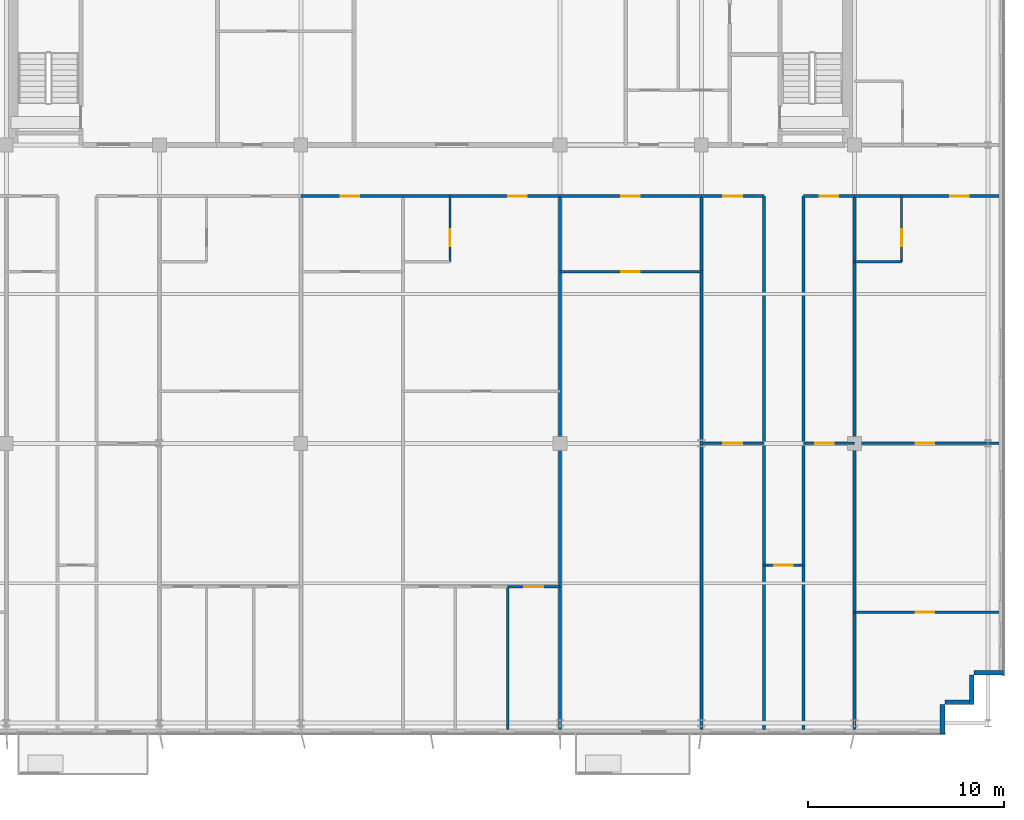
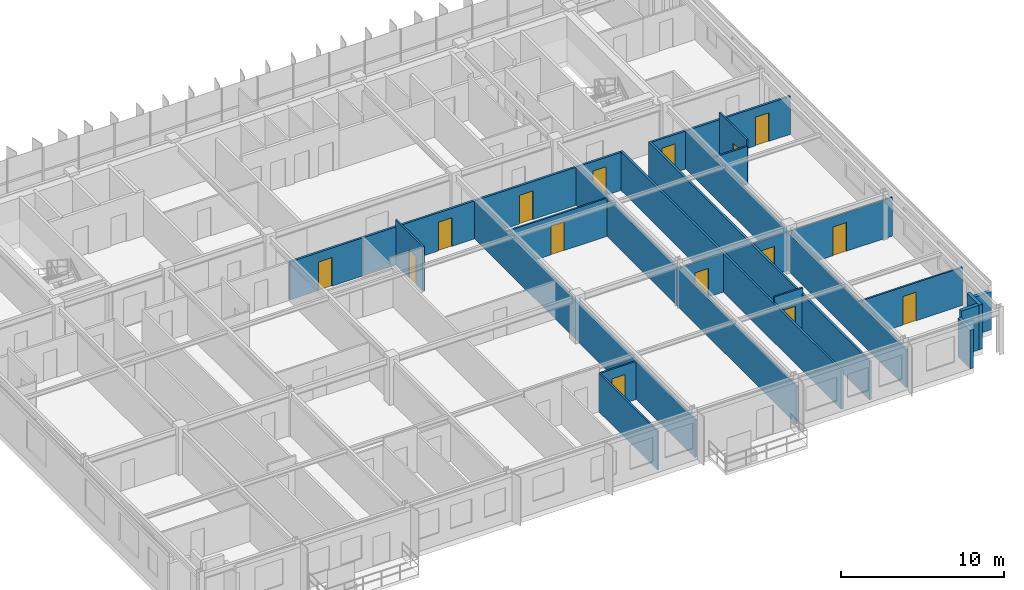
# One storey, part 18 of 23: 26 walls, 15 doors, 15 openings.
"""IFC4 building model written with IfcOpenShell, lengths in metres."""

import ifcopenshell
import ifcopenshell.guid

model = None  # the IFC model being written
_history = None  # IfcOwnerHistory: only IFC2X3 demands one
_inside = {}  # id of a spatial element -> (the spatial element, [elements in it])
_under = {}  # id of a project, library or spatial element -> (it, [spatial elements below it])
_declared = {}  # id of a project -> (the project, [libraries it declares])
_typed = {}  # id of a type object -> (the type object, [elements of that type])
_made_of = {}  # id of a material, layer set ... -> (it, [elements and type objects made of it])


def new_model(schema):
    """Start an empty IFC model of exactly this schema.

    Asked for "IFC4X3", IfcOpenShell would pick the latest addendum, in which some entities
    have other attributes; the version numbers below select the first issue.
    IFC2X3 requires an IfcOwnerHistory on every rooted entity: one is made here for all.
    """
    global model, _history
    if schema == "IFC4X3":
        model = ifcopenshell.file(schema_version=(4, 3, 0, 0))
    else:
        model = ifcopenshell.file(schema=schema)
    _inside.clear()
    _under.clear()
    _declared.clear()
    _typed.clear()
    _made_of.clear()
    _history = None
    if model.schema == "IFC2X3":
        org = make("IfcOrganization", Name="unknown")
        user = make(
            "IfcPersonAndOrganization",
            ThePerson=make("IfcPerson", FamilyName="unknown"),
            TheOrganization=org,
        )
        app = make(
            "IfcApplication",
            ApplicationDeveloper=org,
            Version="unknown",
            ApplicationFullName="unknown",
            ApplicationIdentifier="unknown",
        )
        _history = make(
            "IfcOwnerHistory",
            OwningUser=user,
            OwningApplication=app,
            ChangeAction="ADDED",
            CreationDate=0,
        )
    return model


def make(cls, **values):
    """One entity of the class cls with the attributes given. An attribute that is None is left unset."""
    return model.create_entity(
        cls, **{name: value for name, value in values.items() if value is not None}
    )


def rooted(cls, **values):
    """An entity with a GlobalId (a new one), such as an element, a storey or a relation."""
    return make(cls, GlobalId=ifcopenshell.guid.new(), OwnerHistory=_history, **values)


def si_unit(unit_type, name, prefix=None):
    """IfcSIUnit, for example si_unit("LENGTHUNIT", "METRE", prefix="MILLI")."""
    return make("IfcSIUnit", UnitType=unit_type, Prefix=prefix, Name=name)


def assignment(units):
    """IfcUnitAssignment: the units of a project."""
    return None if units is None else make("IfcUnitAssignment", Units=units)


def point(xyz):
    """IfcCartesianPoint."""
    return None if xyz is None else make("IfcCartesianPoint", Coordinates=xyz)


def direction(xyz):
    """IfcDirection."""
    return None if xyz is None else make("IfcDirection", DirectionRatios=xyz)


def frame(location, z_axis=None, x_axis=None):
    """IfcAxis2Placement3D, a coordinate frame: its origin and axes. An axis left out is left unset."""
    return make(
        "IfcAxis2Placement3D",
        Location=point(location),
        Axis=direction(z_axis),
        RefDirection=direction(x_axis),
    )


def frame_2d(location, x_axis=None):
    """IfcAxis2Placement2D, a coordinate frame in the plane: its origin and x axis."""
    return make(
        "IfcAxis2Placement2D", Location=point(location), RefDirection=direction(x_axis)
    )


def origin():
    """The frame at (0, 0, 0) with its axes left unset."""
    return frame((0.0, 0.0, 0.0))


def place(relative_to, where):
    """IfcLocalPlacement: puts the frame where relative to a parent placement (None: the world)."""
    return make(
        "IfcLocalPlacement", PlacementRelTo=relative_to, RelativePlacement=where
    )


def context(
    kind, dimensions, precision=None, world=None, true_north=None, identifier=None
):
    """IfcGeometricRepresentationContext, for example the 3D "Model" context."""
    return make(
        "IfcGeometricRepresentationContext",
        ContextIdentifier=identifier,
        ContextType=kind,
        CoordinateSpaceDimension=dimensions,
        Precision=precision,
        WorldCoordinateSystem=world,
        TrueNorth=true_north,
    )


def subcontext(parent, identifier, kind, view, scale=None):
    """IfcGeometricRepresentationSubContext, for example "Body" below "Model"."""
    return make(
        "IfcGeometricRepresentationSubContext",
        ContextIdentifier=identifier,
        ContextType=kind,
        ParentContext=parent,
        TargetScale=scale,
        TargetView=view,
    )


def project(units=None, contexts=None):
    """IfcProject with its units and contexts."""
    return rooted(
        "IfcProject",
        Name="project",
        RepresentationContexts=contexts,
        UnitsInContext=assignment(units),
    )


def spatial(cls, under=None, at=None, **own):
    """A site, building, storey or space (cls), placed at a placement, below another one or the project."""
    s = rooted(cls, ObjectPlacement=at, **own)
    if under is not None:
        _under.setdefault(under.id(), (under, []))[1].append(s)
    return s


def profile(cls, at=None, kind="AREA", **sizes):
    """A parametric profile (cls). Its sizes go by their IFC names, for example OverallWidth=200.0."""
    return make(cls, ProfileType=kind, Position=at, **sizes)


def rectangle(**sizes):
    """IfcRectangleProfileDef."""
    return profile("IfcRectangleProfileDef", **sizes)


def extrude(swept, where, along, depth):
    """IfcExtrudedAreaSolid: the profile swept, set in the frame where, extruded along a direction by depth."""
    return make(
        "IfcExtrudedAreaSolid",
        SweptArea=swept,
        Position=where,
        ExtrudedDirection=direction(along),
        Depth=depth,
    )


def shape(context_of_items, identifier, shape_type, items):
    """IfcShapeRepresentation: the items that make up one representation, for example the "Body"."""
    return make(
        "IfcShapeRepresentation",
        ContextOfItems=context_of_items,
        RepresentationIdentifier=identifier,
        RepresentationType=shape_type,
        Items=items,
    )


def source(mapping_origin, context_of_items, identifier, shape_type, items):
    """IfcRepresentationMap: a shape defined once, which mapped items show again and again."""
    return make(
        "IfcRepresentationMap",
        MappingOrigin=mapping_origin,
        MappedRepresentation=shape(context_of_items, identifier, shape_type, items),
    )


def transform(
    local_origin,
    x_axis=None,
    y_axis=None,
    z_axis=None,
    scale=None,
    scale2=None,
    scale3=None,
    uniform=True,
):
    """IfcCartesianTransformationOperator3D, or its non-uniform kind. x_axis, y_axis, z_axis: its Axis1, 2, 3."""
    if uniform:
        return make(
            "IfcCartesianTransformationOperator3D",
            Axis1=direction(x_axis),
            Axis2=direction(y_axis),
            LocalOrigin=point(local_origin),
            Scale=scale,
            Axis3=direction(z_axis),
        )
    return make(
        "IfcCartesianTransformationOperator3DnonUniform",
        Axis1=direction(x_axis),
        Axis2=direction(y_axis),
        LocalOrigin=point(local_origin),
        Scale=scale,
        Axis3=direction(z_axis),
        Scale2=scale2,
        Scale3=scale3,
    )


def mapped(mapping_source, mapping_target):
    """IfcMappedItem: shows the shape of a source again, moved by a transform."""
    return make(
        "IfcMappedItem", MappingSource=mapping_source, MappingTarget=mapping_target
    )


def material(Name=None, Category=None):
    """IfcMaterial."""
    return make("IfcMaterial", Name=Name, Category=Category)


def layer(
    of_material, thickness, ventilated=None, Name=None, Category=None, Priority=None
):
    """IfcMaterialLayer: one layer of a wall or slab, of a material (None: an air gap)."""
    return make(
        "IfcMaterialLayer",
        Material=of_material,
        LayerThickness=thickness,
        IsVentilated=ventilated,
        Name=Name,
        Category=Category,
        Priority=Priority,
    )


def layer_set(layers, Name=None):
    """IfcMaterialLayerSet."""
    return make("IfcMaterialLayerSet", MaterialLayers=layers, LayerSetName=Name)


def made_of(thing, what):
    """Note that an element or type object is made of a material, layer set ...; save() writes the relation."""
    if what is not None:
        _made_of.setdefault(what.id(), (what, []))[1].append(thing)
    return thing


def type_object(cls, material=None, **own):
    """A type object (cls), such as IfcWallType, which elements share."""
    return made_of(rooted(cls, **own), material)


def element(
    cls,
    number,
    at=None,
    inside=None,
    cuts=None,
    type_object=None,
    material=None,
    context=None,
    identifier="Body",
    shape_type=None,
    held_by="IfcProductDefinitionShape",
    body=None,
    shapes=None,
    **own,
):
    """One element of the class cls, such as IfcWall. Its Tag is "e" and its number.

    at: its placement. inside: the storey or other place that contains it. cuts: it is an
    opening in that element (IfcRelVoidsElement). A single representation is given by context,
    identifier, shape_type and body (its items); several are given by shapes. held_by: the class
    of the entity that holds the representations. save() writes the other relations.
    """
    e = rooted(cls, Tag="e%d" % number, ObjectPlacement=at, **own)
    if body is not None:
        shapes = [shape(context, identifier, shape_type, body)]
    if shapes is not None:
        e.Representation = make(held_by, Representations=shapes)
    if inside is not None:
        _inside.setdefault(inside.id(), (inside, []))[1].append(e)
    if cuts is not None:
        rooted(
            "IfcRelVoidsElement", RelatingBuildingElement=cuts, RelatedOpeningElement=e
        )
    if type_object is not None:
        _typed.setdefault(type_object.id(), (type_object, []))[1].append(e)
    return made_of(e, material)


def fill(opening, filler):
    """IfcRelFillsElement: the door or window that sits in an opening."""
    return rooted(
        "IfcRelFillsElement",
        RelatingOpeningElement=opening,
        RelatedBuildingElement=filler,
    )


def aggregate(whole, parts):
    """IfcRelAggregates: a whole, such as a stair, and the parts it consists of."""
    return rooted("IfcRelAggregates", RelatingObject=whole, RelatedObjects=parts)


def save(model, path):
    """Write the relations noted so far, then the file.

    IfcRelAggregates (storeys below a building ...), IfcRelContainedInSpatialStructure (elements
    in a storey), IfcRelDefinesByType, IfcRelAssociatesMaterial and IfcRelDeclares: one each for
    every whole, place, type object, material and project.
    """
    for whole, parts in _under.values():
        aggregate(whole, parts)
    for where, things in _inside.values():
        rooted(
            "IfcRelContainedInSpatialStructure",
            RelatedElements=things,
            RelatingStructure=where,
        )
    for kind, things in _typed.values():
        rooted("IfcRelDefinesByType", RelatedObjects=things, RelatingType=kind)
    for what, things in _made_of.values():
        rooted("IfcRelAssociatesMaterial", RelatedObjects=things, RelatingMaterial=what)
    for by, libraries in _declared.values():
        rooted("IfcRelDeclares", RelatingContext=by, RelatedDefinitions=libraries)
    model.write(path)


model = new_model("IFC4")

# Units and contexts
model_context = context("Model", 3, precision=1e-05, world=origin(), true_north=direction((0.0, 1.0)))
body_context = subcontext(model_context, "Body", "Model", "MODEL_VIEW")
ifc_project = project(units=[si_unit("LENGTHUNIT", "METRE"), si_unit("AREAUNIT", "SQUARE_METRE"), si_unit("VOLUMEUNIT", "CUBIC_METRE"), si_unit("PLANEANGLEUNIT", "RADIAN"), si_unit("MASSUNIT", "GRAM", prefix="KILO")], contexts=[model_context])

# Site, building, storey
site_placement = place(None, origin())
site = spatial("IfcSite", under=ifc_project, at=site_placement, CompositionType="ELEMENT")
building_placement = place(site_placement, origin())
building = spatial("IfcBuilding", under=site, at=building_placement, Name="Trelvane Seafront Commons", CompositionType="ELEMENT")
storey_placement = place(building_placement, frame((0.0, 0.0, 204.89990234375)))
storey = spatial("IfcBuildingStorey", under=building, at=storey_placement, Name="L53", CompositionType="ELEMENT", Elevation=204.89990234375)

# Walls
ifc_material_1 = material(Name="Precast concrete C40/50", Category="concrete")
ifc_layer_1 = layer(ifc_material_1, 0.239990234375, Name="ARCH-WALL-EXT240")
ifc_layer_set_1 = layer_set([ifc_layer_1], Name="Precast concrete C40/50")
wall_type_1 = type_object("IfcWallType", Name="ARCH-WALL-EXT240", PredefinedType="SOLIDWALL", material=ifc_layer_set_1)
wall_1_placement = place(storey_placement, frame((66.39990234375, 6.52001953125, 0.0), z_axis=(0.0, 0.0, 1.0), x_axis=(-1.0, 0.0, 0.0)))
element("IfcWall", 1, at=wall_1_placement, inside=storey, type_object=wall_type_1, Name="EW-L53-01072", PredefinedType="SOLIDWALL", context=body_context, shape_type="SweptSolid", body=[
    extrude(rectangle(XDim=1.5, YDim=0.239990234375, at=frame_2d((0.75, 0.0))), origin(), (0.0, 0.0, 1.0), 2.860107421875),
])
for number, where, z_axis, x_axis, name in (
    (2, (64.780029296875, 6.39990234375, 0.0), (0.0, 0.0, 1.0), (0.0, -1.0, 0.0), "EW-L53-01073"),
    (3, (64.89990234375, 5.02001953125, 0.0), (0.0, 0.0, 1.0), (-1.0, 0.0, 0.0), "EW-L53-01074"),
):
    element("IfcWall", number, at=place(storey_placement, frame(where, z_axis=z_axis, x_axis=x_axis)), inside=storey, type_object=wall_type_1, Name=name, PredefinedType="SOLIDWALL", context=body_context, shape_type="SweptSolid", body=[
        extrude(rectangle(XDim=1.5, YDim=0.239990234375, at=frame_2d((0.75, 0.0))), origin(), (0.0, 0.0, 1.0), 3.360107421875),
    ])
wall_2_placement = place(storey_placement, frame((63.280029296875, 4.89990234375, 0.0), z_axis=(0.0, 0.0, 1.0), x_axis=(0.0, -1.0, 0.0)))
element("IfcWall", 4, at=wall_2_placement, inside=storey, type_object=wall_type_1, Name="EW-L53-01075", PredefinedType="SOLIDWALL", context=body_context, shape_type="SweptSolid", body=[
    extrude(rectangle(XDim=1.5, YDim=0.239990234375, at=frame_2d((0.75, 0.0))), origin(), (0.0, 0.0, 1.0), 2.91015625),
])

# Wall, opening, door
ifc_material_2 = material(Name="Gypsum Drywall Acoustic Partition")
ifc_layer_2 = layer(ifc_material_2, 0.1201171875, Name="ARCH-WALL-PART120")
ifc_layer_set_2 = layer_set([ifc_layer_2], Name="Gypsum Drywall Acoustic Partition")
wall_type_2 = type_object("IfcWallType", Name="ARCH-WALL-PART120", PredefinedType="PARTITIONING", material=ifc_layer_set_2)
wall_3_placement = place(storey_placement, frame((38.199951171875, 27.449951171875, 0.0), z_axis=(0.0, 0.0, 1.0), x_axis=(0.0, 1.0, 0.0)))
wall_3 = element("IfcWall", 5, at=wall_3_placement, inside=storey, type_object=wall_type_2, Name="W-L53-U7-BE-082", PredefinedType="PARTITIONING", context=body_context, shape_type="SweptSolid", body=[
    extrude(rectangle(XDim=3.35009765625, YDim=0.1201171875, at=frame_2d((1.675048828125, 0.0))), origin(), (0.0, 0.0, 1.0), 3.360107421875),
])
opening_1_placement = place(wall_3_placement, frame((0.800048828125, 0.0, 0.0)))
opening_1 = element("IfcOpeningElement", 6, at=opening_1_placement, cuts=wall_3, Name="Opening D-L53-49", PredefinedType="OPENING", context=body_context, shape_type="SweptSolid", body=[
    extrude(rectangle(XDim=0.85009765625, YDim=2.10009765625, at=frame_2d((0.425048828125, 1.050048828125))), frame((0.0, 0.070068359375, 0.0), z_axis=(0.0, -1.0, 0.0), x_axis=(1.0, 0.0, 0.0)), (0.0, 0.0, 1.0), 0.14013671875),
])
ifc_material_3 = material(Name="Acoustic timber door leaf", Category="wood")
door_type_1 = type_object("IfcDoorType", Name="ARCH-DR-INT850", OperationType="NOTDEFINED", PredefinedType="DOOR", material=ifc_material_3)
shared_shape_1 = source(origin(), body_context, "Body", "SweptSolid", [
    extrude(rectangle(XDim=0.85009765625, YDim=2.10009765625, at=frame_2d((0.425048828125, 1.050048828125))), frame((0.0, 0.02490234375, 0.0), z_axis=(0.0, -1.0, 0.0), x_axis=(1.0, 0.0, 0.0)), (0.0, 0.0, 1.0), 0.050048828125),
])
door_1_placement = place(opening_1_placement, origin())
door_1 = element("IfcDoor", 7, at=door_1_placement, inside=storey, type_object=door_type_1, Name="L53 Door 49", OperationType="SINGLE_SWING_LEFT", OverallHeight=2.10009765625, OverallWidth=0.85009765625, PredefinedType="DOOR", context=body_context, shape_type="MappedRepresentation", body=[
    mapped(shared_shape_1, transform((0.0, 0.0, 0.0), x_axis=(1.0, 0.0, 0.0), y_axis=(0.0, 1.0, 0.0), z_axis=(0.0, 0.0, 1.0), scale=1.0)),
])
fill(opening_1, door_1)

wall_4_placement = place(storey_placement, frame((41.133056640625, 10.89990234375, 0.0), z_axis=(0.0, 0.0, 1.0), x_axis=(1.0, 0.0, 0.0)))
wall_4 = element("IfcWall", 8, at=wall_4_placement, inside=storey, type_object=wall_type_2, Name="W-L53-U7-YM-3-088", PredefinedType="PARTITIONING", context=body_context, shape_type="SweptSolid", body=[
    extrude(rectangle(XDim=2.6669921875, YDim=0.1201171875, at=frame_2d((1.33349609375, 0.0))), origin(), (0.0, 0.0, 1.0), 2.860107421875),
])
opening_2_placement = place(wall_4_placement, frame((0.85791015625, 0.0, 0.0)))
opening_2 = element("IfcOpeningElement", 9, at=opening_2_placement, cuts=wall_4, Name="Opening D-L53-53", PredefinedType="OPENING", context=body_context, shape_type="SweptSolid", body=[
    extrude(rectangle(XDim=0.949951171875, YDim=2.14990234375, at=frame_2d((0.47509765625, 1.074951171875))), frame((0.0, 0.070068359375, 0.0), z_axis=(0.0, -1.0, 0.0), x_axis=(1.0, 0.0, 0.0)), (0.0, 0.0, 1.0), 0.14013671875),
])
door_type_2 = type_object("IfcDoorType", Name="ARCH-DR-INT950", OperationType="NOTDEFINED", PredefinedType="DOOR", material=ifc_material_3)
shared_shape_2 = source(origin(), body_context, "Body", "SweptSolid", [
    extrude(rectangle(XDim=0.949951171875, YDim=2.14990234375, at=frame_2d((0.47509765625, 1.074951171875))), frame((0.0, 0.02490234375, 0.0), z_axis=(0.0, -1.0, 0.0), x_axis=(1.0, 0.0, 0.0)), (0.0, 0.0, 1.0), 0.050048828125),
])
door_2_placement = place(opening_2_placement, origin())
door_2 = element("IfcDoor", 10, at=door_2_placement, inside=storey, type_object=door_type_2, Name="L53 Door 53", OperationType="SINGLE_SWING_LEFT", OverallHeight=2.14990234375, OverallWidth=0.949951171875, PredefinedType="DOOR", context=body_context, shape_type="MappedRepresentation", body=[
    mapped(shared_shape_2, transform((0.0, 0.0, 0.0), x_axis=(1.0, 0.0, 0.0), y_axis=(0.0, 1.0, 0.0), z_axis=(0.0, 0.0, 1.0), scale=1.0)),
])
fill(opening_2, door_2)

# Wall
wall_5_placement = place(storey_placement, frame((41.133056640625, 3.625, 0.0), z_axis=(0.0, 0.0, 1.0), x_axis=(0.0, 1.0, 0.0)))
element("IfcWall", 11, at=wall_5_placement, inside=storey, type_object=wall_type_2, Name="W-L53-U7-BDV-2-089", PredefinedType="PARTITIONING", context=body_context, shape_type="SweptSolid", body=[
    extrude(rectangle(XDim=7.27490234375, YDim=0.1201171875, at=frame_2d((3.637451171875, 0.0))), origin(), (0.0, 0.0, 1.0), 2.91015625),
])

# Wall, opening, door
wall_6_placement = place(storey_placement, frame((43.800048828125, 26.949951171875, 0.0), z_axis=(0.0, 0.0, 1.0), x_axis=(1.0, 0.0, 0.0)))
wall_6 = element("IfcWall", 12, at=wall_6_placement, inside=storey, type_object=wall_type_2, Name="W-L53-U8-DIV-091", PredefinedType="PARTITIONING", context=body_context, shape_type="SweptSolid", body=[
    extrude(rectangle(XDim=7.199951171875, YDim=0.1201171875, at=frame_2d((3.60009765625, 0.0))), origin(), (0.0, 0.0, 1.0), 2.860107421875),
])
opening_3_placement = place(wall_6_placement, frame((3.125, 0.0, 0.0)))
opening_3 = element("IfcOpeningElement", 13, at=opening_3_placement, cuts=wall_6, Name="Opening D-L53-55", PredefinedType="OPENING", context=body_context, shape_type="SweptSolid", body=[
    extrude(rectangle(XDim=0.949951171875, YDim=2.14990234375, at=frame_2d((0.47509765625, 1.074951171875))), frame((0.0, 0.070068359375, 0.0), z_axis=(0.0, -1.0, 0.0), x_axis=(1.0, 0.0, 0.0)), (0.0, 0.0, 1.0), 0.14013671875),
])
door_3_placement = place(opening_3_placement, origin())
door_3 = element("IfcDoor", 14, at=door_3_placement, inside=storey, type_object=door_type_2, Name="L53 Door 55", OperationType="SINGLE_SWING_LEFT", OverallHeight=2.14990234375, OverallWidth=0.949951171875, PredefinedType="DOOR", context=body_context, shape_type="MappedRepresentation", body=[
    mapped(shared_shape_2, transform((0.0, 0.0, 0.0), x_axis=(1.0, 0.0, 0.0), y_axis=(0.0, 1.0, 0.0), z_axis=(0.0, 0.0, 1.0), scale=1.0)),
])
fill(opening_3, door_3)

wall_7_placement = place(storey_placement, frame((51.0, 18.199951171875, 0.0), z_axis=(0.0, 0.0, 1.0), x_axis=(1.0, 0.0, 0.0)))
wall_7 = element("IfcWall", 15, at=wall_7_placement, inside=storey, type_object=wall_type_2, Name="W-L53-U9-DIV-093", PredefinedType="PARTITIONING", context=body_context, shape_type="SweptSolid", body=[
    extrude(rectangle(XDim=3.199951171875, YDim=0.1201171875, at=frame_2d((1.60009765625, 0.0))), origin(), (0.0, 0.0, 1.0), 2.91015625),
])
opening_4_placement = place(wall_7_placement, frame((1.125, 0.0, 0.0)))
opening_4 = element("IfcOpeningElement", 16, at=opening_4_placement, cuts=wall_7, Name="Opening D-L53-57", PredefinedType="OPENING", context=body_context, shape_type="SweptSolid", body=[
    extrude(rectangle(XDim=0.949951171875, YDim=2.14990234375, at=frame_2d((0.47509765625, 1.074951171875))), frame((0.0, 0.070068359375, 0.0), z_axis=(0.0, -1.0, 0.0), x_axis=(1.0, 0.0, 0.0)), (0.0, 0.0, 1.0), 0.14013671875),
])
door_4_placement = place(opening_4_placement, origin())
door_4 = element("IfcDoor", 17, at=door_4_placement, inside=storey, type_object=door_type_2, Name="L53 Door 57", OperationType="SINGLE_SWING_LEFT", OverallHeight=2.14990234375, OverallWidth=0.949951171875, PredefinedType="DOOR", context=body_context, shape_type="MappedRepresentation", body=[
    mapped(shared_shape_2, transform((0.0, 0.0, 0.0), x_axis=(1.0, 0.0, 0.0), y_axis=(0.0, 1.0, 0.0), z_axis=(0.0, 0.0, 1.0), scale=1.0)),
])
fill(opening_4, door_4)

wall_8_placement = place(storey_placement, frame((54.199951171875, 12.0, 0.0), z_axis=(0.0, 0.0, 1.0), x_axis=(1.0, 0.0, 0.0)))
wall_8 = element("IfcWall", 18, at=wall_8_placement, inside=storey, type_object=wall_type_2, Name="W-L53-ARM-END-10-096", PredefinedType="PARTITIONING", context=body_context, shape_type="SweptSolid", body=[
    extrude(rectangle(XDim=2.0, YDim=0.1201171875, at=frame_2d((1.0, 0.0))), origin(), (0.0, 0.0, 1.0), 3.360107421875),
])
opening_5_placement = place(wall_8_placement, frame((0.52001953125, 0.0, 0.0)))
opening_5 = element("IfcOpeningElement", 19, at=opening_5_placement, cuts=wall_8, Name="Opening D-L53-58", PredefinedType="OPENING", context=body_context, shape_type="SweptSolid", body=[
    extrude(rectangle(XDim=0.949951171875, YDim=2.14990234375, at=frame_2d((0.47509765625, 1.074951171875))), frame((0.0, 0.070068359375, 0.0), z_axis=(0.0, -1.0, 0.0), x_axis=(1.0, 0.0, 0.0)), (0.0, 0.0, 1.0), 0.14013671875),
])
door_5_placement = place(opening_5_placement, origin())
door_5 = element("IfcDoor", 20, at=door_5_placement, inside=storey, type_object=door_type_2, Name="L53 Door 58", OperationType="SINGLE_SWING_RIGHT", OverallHeight=2.14990234375, OverallWidth=0.949951171875, PredefinedType="DOOR", context=body_context, shape_type="MappedRepresentation", body=[
    mapped(shared_shape_2, transform((0.0, 0.0, 0.0), x_axis=(1.0, 0.0, 0.0), y_axis=(0.0, 1.0, 0.0), z_axis=(0.0, 0.0, 1.0), scale=1.0)),
])
fill(opening_5, door_5)

wall_9_placement = place(storey_placement, frame((56.199951171875, 18.199951171875, 0.0), z_axis=(0.0, 0.0, 1.0), x_axis=(1.0, 0.0, 0.0)))
wall_9 = element("IfcWall", 21, at=wall_9_placement, inside=storey, type_object=wall_type_2, Name="W-L53-U11-DIV-098", PredefinedType="PARTITIONING", context=body_context, shape_type="SweptSolid", body=[
    extrude(rectangle(XDim=2.60009765625, YDim=0.1201171875, at=frame_2d((1.300048828125, 0.0))), origin(), (0.0, 0.0, 1.0), 2.91015625),
])
opening_6_placement = place(wall_9_placement, frame((0.60205078125, 0.0, 0.0)))
opening_6 = element("IfcOpeningElement", 22, at=opening_6_placement, cuts=wall_9, Name="Opening D-L53-60", PredefinedType="OPENING", context=body_context, shape_type="SweptSolid", body=[
    extrude(rectangle(XDim=0.949951171875, YDim=2.14990234375, at=frame_2d((0.47509765625, 1.074951171875))), frame((0.0, 0.070068359375, 0.0), z_axis=(0.0, -1.0, 0.0), x_axis=(1.0, 0.0, 0.0)), (0.0, 0.0, 1.0), 0.14013671875),
])
door_6_placement = place(opening_6_placement, origin())
door_6 = element("IfcDoor", 23, at=door_6_placement, inside=storey, type_object=door_type_2, Name="L53 Door 60", OperationType="SINGLE_SWING_RIGHT", OverallHeight=2.14990234375, OverallWidth=0.949951171875, PredefinedType="DOOR", context=body_context, shape_type="MappedRepresentation", body=[
    mapped(shared_shape_2, transform((0.0, 0.0, 0.0), x_axis=(1.0, 0.0, 0.0), y_axis=(0.0, 1.0, 0.0), z_axis=(0.0, 0.0, 1.0), scale=1.0)),
])
fill(opening_6, door_6)

wall_10_placement = place(storey_placement, frame((58.800048828125, 18.199951171875, 0.0), z_axis=(0.0, 0.0, 1.0), x_axis=(1.0, 0.0, 0.0)))
wall_10 = element("IfcWall", 24, at=wall_10_placement, inside=storey, type_object=wall_type_2, Name="W-L53-U12-KL-099", PredefinedType="PARTITIONING", context=body_context, shape_type="SweptSolid", body=[
    extrude(rectangle(XDim=7.35986328125, YDim=0.1201171875, at=frame_2d((3.679931640625, 0.0))), origin(), (0.0, 0.0, 1.0), 2.91015625),
])
opening_7_placement = place(wall_10_placement, frame((3.114013671875, 0.0, 0.0)))
opening_7 = element("IfcOpeningElement", 25, at=opening_7_placement, cuts=wall_10, Name="Opening D-L53-61", PredefinedType="OPENING", context=body_context, shape_type="SweptSolid", body=[
    extrude(rectangle(XDim=0.949951171875, YDim=2.14990234375, at=frame_2d((0.47509765625, 1.074951171875))), frame((0.0, 0.070068359375, 0.0), z_axis=(0.0, -1.0, 0.0), x_axis=(1.0, 0.0, 0.0)), (0.0, 0.0, 1.0), 0.14013671875),
])
door_7_placement = place(opening_7_placement, origin())
door_7 = element("IfcDoor", 26, at=door_7_placement, inside=storey, type_object=door_type_2, Name="L53 Door 61", OperationType="SINGLE_SWING_LEFT", OverallHeight=2.14990234375, OverallWidth=0.949951171875, PredefinedType="DOOR", context=body_context, shape_type="MappedRepresentation", body=[
    mapped(shared_shape_2, transform((0.0, 0.0, 0.0), x_axis=(1.0, 0.0, 0.0), y_axis=(0.0, 1.0, 0.0), z_axis=(0.0, 0.0, 1.0), scale=1.0)),
])
fill(opening_7, door_7)

wall_11_placement = place(storey_placement, frame((61.199951171875, 27.449951171875, 0.0), z_axis=(0.0, 0.0, 1.0), x_axis=(0.0, 1.0, 0.0)))
wall_11 = element("IfcWall", 27, at=wall_11_placement, inside=storey, type_object=wall_type_2, Name="W-L53-U12-BE-100", PredefinedType="PARTITIONING", context=body_context, shape_type="SweptSolid", body=[
    extrude(rectangle(XDim=3.35009765625, YDim=0.1201171875, at=frame_2d((1.675048828125, 0.0))), origin(), (0.0, 0.0, 1.0), 3.360107421875),
])
opening_8_placement = place(wall_11_placement, frame((0.800048828125, 0.0, 0.0)))
opening_8 = element("IfcOpeningElement", 28, at=opening_8_placement, cuts=wall_11, Name="Opening D-L53-62", PredefinedType="OPENING", context=body_context, shape_type="SweptSolid", body=[
    extrude(rectangle(XDim=0.85009765625, YDim=2.10009765625, at=frame_2d((0.425048828125, 1.050048828125))), frame((0.0, 0.070068359375, 0.0), z_axis=(0.0, -1.0, 0.0), x_axis=(1.0, 0.0, 0.0)), (0.0, 0.0, 1.0), 0.14013671875),
])
door_8_placement = place(opening_8_placement, origin())
door_8 = element("IfcDoor", 29, at=door_8_placement, inside=storey, type_object=door_type_1, Name="L53 Door 62", OperationType="SINGLE_SWING_RIGHT", OverallHeight=2.10009765625, OverallWidth=0.85009765625, PredefinedType="DOOR", context=body_context, shape_type="MappedRepresentation", body=[
    mapped(shared_shape_1, transform((0.0, 0.0, 0.0), x_axis=(1.0, 0.0, 0.0), y_axis=(0.0, 1.0, 0.0), z_axis=(0.0, 0.0, 1.0), scale=1.0)),
])
fill(opening_8, door_8)

# Wall
wall_12_placement = place(storey_placement, frame((58.800048828125, 27.449951171875, 0.0), z_axis=(0.0, 0.0, 1.0), x_axis=(1.0, 0.0, 0.0)))
element("IfcWall", 30, at=wall_12_placement, inside=storey, type_object=wall_type_2, Name="W-L53-U12-BS-101", PredefinedType="PARTITIONING", context=body_context, shape_type="SweptSolid", body=[
    extrude(rectangle(XDim=2.39990234375, YDim=0.1201171875, at=frame_2d((1.199951171875, 0.0))), origin(), (0.0, 0.0, 1.0), 2.860107421875),
])

# Wall, opening, door
wall_13_placement = place(storey_placement, frame((58.800048828125, 9.60009765625, 0.0), z_axis=(0.0, 0.0, 1.0), x_axis=(1.0, 0.0, 0.0)))
wall_13 = element("IfcWall", 31, at=wall_13_placement, inside=storey, type_object=wall_type_2, Name="W-L53-U12-YM-1-103", PredefinedType="PARTITIONING", context=body_context, shape_type="SweptSolid", body=[
    extrude(rectangle(XDim=7.35986328125, YDim=0.1201171875, at=frame_2d((3.679931640625, 0.0))), origin(), (0.0, 0.0, 1.0), 2.860107421875),
])
opening_9_placement = place(wall_13_placement, frame((3.114013671875, 0.0, 0.0)))
opening_9 = element("IfcOpeningElement", 32, at=opening_9_placement, cuts=wall_13, Name="Opening D-L53-64", PredefinedType="OPENING", context=body_context, shape_type="SweptSolid", body=[
    extrude(rectangle(XDim=0.949951171875, YDim=2.14990234375, at=frame_2d((0.47509765625, 1.074951171875))), frame((0.0, 0.070068359375, 0.0), z_axis=(0.0, -1.0, 0.0), x_axis=(1.0, 0.0, 0.0)), (0.0, 0.0, 1.0), 0.14013671875),
])
door_9_placement = place(opening_9_placement, origin())
door_9 = element("IfcDoor", 33, at=door_9_placement, inside=storey, type_object=door_type_2, Name="L53 Door 64", OperationType="SINGLE_SWING_RIGHT", OverallHeight=2.14990234375, OverallWidth=0.949951171875, PredefinedType="DOOR", context=body_context, shape_type="MappedRepresentation", body=[
    mapped(shared_shape_2, transform((0.0, 0.0, 0.0), x_axis=(1.0, 0.0, 0.0), y_axis=(0.0, 1.0, 0.0), z_axis=(0.0, 0.0, 1.0), scale=1.0)),
])
fill(opening_9, door_9)

# Walls
ifc_layer_3 = layer(ifc_material_2, 0.14990234375, Name="ARCH-WALL-PART150")
ifc_layer_set_3 = layer_set([ifc_layer_3], Name="Gypsum Drywall Acoustic Partition")
wall_type_3 = type_object("IfcWallType", Name="ARCH-WALL-PART150", PredefinedType="PARTITIONING", material=ifc_layer_set_3)
for number, where, z_axis, x_axis, name in (
    (34, (43.800048828125, 3.625, 0.0), (0.0, 0.0, 1.0), (0.0, 1.0, 0.0), "W-L53-PW-7-055"),
    (35, (51.0, 3.625, 0.0), (0.0, 0.0, 1.0), (0.0, 1.0, 0.0), "W-L53-PW-8-056"),
    (36, (58.800048828125, 3.625, 0.0), (0.0, 0.0, 1.0), (0.0, 1.0, 0.0), "W-L53-PW-11-057"),
):
    element("IfcWall", number, at=place(storey_placement, frame(where, z_axis=z_axis, x_axis=x_axis)), inside=storey, type_object=wall_type_3, Name=name, PredefinedType="PARTITIONING", context=body_context, shape_type="SweptSolid", body=[
        extrude(rectangle(XDim=27.175048828125, YDim=0.14990234375, at=frame_2d((13.58740234375, 0.0))), origin(), (0.0, 0.0, 1.0), 2.860107421875),
    ])

# Wall, opening, door
wall_14_placement = place(storey_placement, frame((30.60009765625, 30.800048828125, 0.0), z_axis=(0.0, 0.0, 1.0), x_axis=(1.0, 0.0, 0.0)))
wall_14 = element("IfcWall", 37, at=wall_14_placement, inside=storey, type_object=wall_type_3, Name="W-L53-CS-BAY-6-079", PredefinedType="PARTITIONING", context=body_context, shape_type="SweptSolid", body=[
    extrude(rectangle(XDim=5.199951171875, YDim=0.14990234375, at=frame_2d((2.60009765625, 0.0))), origin(), (0.0, 0.0, 1.0), 2.860107421875),
])
opening_10_placement = place(wall_14_placement, frame((2.032958984375, 0.0, 0.0)))
opening_10 = element("IfcOpeningElement", 38, at=opening_10_placement, cuts=wall_14, Name="Opening FD-L53-46", PredefinedType="OPENING", context=body_context, shape_type="SweptSolid", body=[
    extrude(rectangle(XDim=0.949951171875, YDim=2.14990234375, at=frame_2d((0.47509765625, 1.074951171875))), frame((0.0, 0.0849609375, 0.0), z_axis=(0.0, -1.0, 0.0), x_axis=(1.0, 0.0, 0.0)), (0.0, 0.0, 1.0), 0.169921875),
])
ifc_material_4 = material(Name="Powder-coated aluminium frame", Category="aluminium")
door_type_3 = type_object("IfcDoorType", Name="ARCH-DR-FD60-950", OperationType="NOTDEFINED", PredefinedType="DOOR", material=ifc_material_4)
door_10_placement = place(opening_10_placement, origin())
door_10 = element("IfcDoor", 39, at=door_10_placement, inside=storey, type_object=door_type_3, Name="L53 Bay 06 Entrance Door", OperationType="SINGLE_SWING_RIGHT", OverallHeight=2.14990234375, OverallWidth=0.949951171875, PredefinedType="DOOR", context=body_context, shape_type="MappedRepresentation", body=[
    mapped(shared_shape_2, transform((0.0, 0.0, 0.0), x_axis=(1.0, 0.0, 0.0), y_axis=(0.0, 1.0, 0.0), z_axis=(0.0, 0.0, 1.0), scale=1.0)),
])
fill(opening_10, door_10)

wall_15_placement = place(storey_placement, frame((35.800048828125, 30.800048828125, 0.0), z_axis=(0.0, 0.0, 1.0), x_axis=(1.0, 0.0, 0.0)))
wall_15 = element("IfcWall", 40, at=wall_15_placement, inside=storey, type_object=wall_type_3, Name="W-L53-CS-BAY-7-084", PredefinedType="PARTITIONING", context=body_context, shape_type="SweptSolid", body=[
    extrude(rectangle(XDim=8.0, YDim=0.14990234375, at=frame_2d((4.0, 0.0))), origin(), (0.0, 0.0, 1.0), 2.860107421875),
])
opening_11_placement = place(wall_15_placement, frame((5.366943359375, 0.0, 0.0)))
opening_11 = element("IfcOpeningElement", 41, at=opening_11_placement, cuts=wall_15, Name="Opening FD-L53-50", PredefinedType="OPENING", context=body_context, shape_type="SweptSolid", body=[
    extrude(rectangle(XDim=0.949951171875, YDim=2.14990234375, at=frame_2d((0.47509765625, 1.074951171875))), frame((0.0, 0.0849609375, 0.0), z_axis=(0.0, -1.0, 0.0), x_axis=(1.0, 0.0, 0.0)), (0.0, 0.0, 1.0), 0.169921875),
])
door_11_placement = place(opening_11_placement, origin())
door_11 = element("IfcDoor", 42, at=door_11_placement, inside=storey, type_object=door_type_3, Name="L53 Unit 07 Entrance Door", OperationType="SINGLE_SWING_RIGHT", OverallHeight=2.14990234375, OverallWidth=0.949951171875, PredefinedType="DOOR", context=body_context, shape_type="MappedRepresentation", body=[
    mapped(shared_shape_2, transform((0.0, 0.0, 0.0), x_axis=(1.0, 0.0, 0.0), y_axis=(0.0, 1.0, 0.0), z_axis=(0.0, 0.0, 1.0), scale=1.0)),
])
fill(opening_11, door_11)

wall_16_placement = place(storey_placement, frame((43.800048828125, 30.800048828125, 0.0), z_axis=(0.0, 0.0, 1.0), x_axis=(1.0, 0.0, 0.0)))
wall_16 = element("IfcWall", 43, at=wall_16_placement, inside=storey, type_object=wall_type_3, Name="W-L53-CS-BAY-8-090", PredefinedType="PARTITIONING", context=body_context, shape_type="SweptSolid", body=[
    extrude(rectangle(XDim=7.199951171875, YDim=0.14990234375, at=frame_2d((3.60009765625, 0.0))), origin(), (0.0, 0.0, 1.0), 2.860107421875),
])
opening_12_placement = place(wall_16_placement, frame((3.125, 0.0, 0.0)))
opening_12 = element("IfcOpeningElement", 44, at=opening_12_placement, cuts=wall_16, Name="Opening FD-L53-54", PredefinedType="OPENING", context=body_context, shape_type="SweptSolid", body=[
    extrude(rectangle(XDim=0.949951171875, YDim=2.14990234375, at=frame_2d((0.47509765625, 1.074951171875))), frame((0.0, 0.0849609375, 0.0), z_axis=(0.0, -1.0, 0.0), x_axis=(1.0, 0.0, 0.0)), (0.0, 0.0, 1.0), 0.169921875),
])
door_12_placement = place(opening_12_placement, origin())
door_12 = element("IfcDoor", 45, at=door_12_placement, inside=storey, type_object=door_type_3, Name="L53 Bay 08 Entrance Door", OperationType="SINGLE_SWING_RIGHT", OverallHeight=2.14990234375, OverallWidth=0.949951171875, PredefinedType="DOOR", context=body_context, shape_type="MappedRepresentation", body=[
    mapped(shared_shape_2, transform((0.0, 0.0, 0.0), x_axis=(1.0, 0.0, 0.0), y_axis=(0.0, 1.0, 0.0), z_axis=(0.0, 0.0, 1.0), scale=1.0)),
])
fill(opening_12, door_12)

wall_17_placement = place(storey_placement, frame((51.0, 30.800048828125, 0.0), z_axis=(0.0, 0.0, 1.0), x_axis=(1.0, 0.0, 0.0)))
wall_17 = element("IfcWall", 46, at=wall_17_placement, inside=storey, type_object=wall_type_3, Name="W-L53-CS-BAY-9-092", PredefinedType="PARTITIONING", context=body_context, shape_type="SweptSolid", body=[
    extrude(rectangle(XDim=3.199951171875, YDim=0.14990234375, at=frame_2d((1.60009765625, 0.0))), origin(), (0.0, 0.0, 1.0), 2.860107421875),
])
opening_13_placement = place(wall_17_placement, frame((1.125, 0.0, 0.0)))
opening_13 = element("IfcOpeningElement", 47, at=opening_13_placement, cuts=wall_17, Name="Opening FD-L53-56", PredefinedType="OPENING", context=body_context, shape_type="SweptSolid", body=[
    extrude(rectangle(XDim=0.949951171875, YDim=2.14990234375, at=frame_2d((0.47509765625, 1.074951171875))), frame((0.0, 0.0849609375, 0.0), z_axis=(0.0, -1.0, 0.0), x_axis=(1.0, 0.0, 0.0)), (0.0, 0.0, 1.0), 0.169921875),
])
door_13_placement = place(opening_13_placement, origin())
door_13 = element("IfcDoor", 48, at=door_13_placement, inside=storey, type_object=door_type_3, Name="L53 Bay 09 Entrance Door", OperationType="SINGLE_SWING_RIGHT", OverallHeight=2.14990234375, OverallWidth=0.949951171875, PredefinedType="DOOR", context=body_context, shape_type="MappedRepresentation", body=[
    mapped(shared_shape_2, transform((0.0, 0.0, 0.0), x_axis=(1.0, 0.0, 0.0), y_axis=(0.0, 1.0, 0.0), z_axis=(0.0, 0.0, 1.0), scale=1.0)),
])
fill(opening_13, door_13)

# Walls
for number, where, z_axis, x_axis, name in (
    (49, (54.199951171875, 3.625, 0.0), (0.0, 0.0, 1.0), (0.0, 1.0, 0.0), "W-L53-ARM-W-10-094"),
    (50, (56.199951171875, 3.625, 0.0), (0.0, 0.0, 1.0), (0.0, 1.0, 0.0), "W-L53-ARM-E-10-095"),
):
    element("IfcWall", number, at=place(storey_placement, frame(where, z_axis=z_axis, x_axis=x_axis)), inside=storey, type_object=wall_type_3, Name=name, PredefinedType="PARTITIONING", context=body_context, shape_type="SweptSolid", body=[
        extrude(rectangle(XDim=27.175048828125, YDim=0.14990234375, at=frame_2d((13.58740234375, 0.0))), origin(), (0.0, 0.0, 1.0), 2.91015625),
    ])

# Wall, opening, door
wall_18_placement = place(storey_placement, frame((56.199951171875, 30.800048828125, 0.0), z_axis=(0.0, 0.0, 1.0), x_axis=(1.0, 0.0, 0.0)))
wall_18 = element("IfcWall", 51, at=wall_18_placement, inside=storey, type_object=wall_type_3, Name="W-L53-CS-BAY-11-097", PredefinedType="PARTITIONING", context=body_context, shape_type="SweptSolid", body=[
    extrude(rectangle(XDim=2.60009765625, YDim=0.14990234375, at=frame_2d((1.300048828125, 0.0))), origin(), (0.0, 0.0, 1.0), 2.860107421875),
])
opening_14_placement = place(wall_18_placement, frame((0.824951171875, 0.0, 0.0)))
opening_14 = element("IfcOpeningElement", 52, at=opening_14_placement, cuts=wall_18, Name="Opening FD-L53-59", PredefinedType="OPENING", context=body_context, shape_type="SweptSolid", body=[
    extrude(rectangle(XDim=0.949951171875, YDim=2.14990234375, at=frame_2d((0.47509765625, 1.074951171875))), frame((0.0, 0.0849609375, 0.0), z_axis=(0.0, -1.0, 0.0), x_axis=(1.0, 0.0, 0.0)), (0.0, 0.0, 1.0), 0.169921875),
])
door_14_placement = place(opening_14_placement, origin())
door_14 = element("IfcDoor", 53, at=door_14_placement, inside=storey, type_object=door_type_3, Name="L53 Bay 11 Entrance Door", OperationType="SINGLE_SWING_LEFT", OverallHeight=2.14990234375, OverallWidth=0.949951171875, PredefinedType="DOOR", context=body_context, shape_type="MappedRepresentation", body=[
    mapped(shared_shape_2, transform((0.0, 0.0, 0.0), x_axis=(1.0, 0.0, 0.0), y_axis=(0.0, 1.0, 0.0), z_axis=(0.0, 0.0, 1.0), scale=1.0)),
])
fill(opening_14, door_14)

wall_19_placement = place(storey_placement, frame((58.800048828125, 30.800048828125, 0.0), z_axis=(0.0, 0.0, 1.0), x_axis=(1.0, 0.0, 0.0)))
wall_19 = element("IfcWall", 54, at=wall_19_placement, inside=storey, type_object=wall_type_3, Name="W-L53-CS-BAY-12-102", PredefinedType="PARTITIONING", context=body_context, shape_type="SweptSolid", body=[
    extrude(rectangle(XDim=7.375, YDim=0.14990234375, at=frame_2d((3.6875, 0.0))), origin(), (0.0, 0.0, 1.0), 2.860107421875),
])
opening_15_placement = place(wall_19_placement, frame((4.876953125, 0.0, 0.0)))
opening_15 = element("IfcOpeningElement", 55, at=opening_15_placement, cuts=wall_19, Name="Opening FD-L53-63", PredefinedType="OPENING", context=body_context, shape_type="SweptSolid", body=[
    extrude(rectangle(XDim=0.949951171875, YDim=2.14990234375, at=frame_2d((0.47509765625, 1.074951171875))), frame((0.0, 0.0849609375, 0.0), z_axis=(0.0, -1.0, 0.0), x_axis=(1.0, 0.0, 0.0)), (0.0, 0.0, 1.0), 0.169921875),
])
door_15_placement = place(opening_15_placement, origin())
door_15 = element("IfcDoor", 56, at=door_15_placement, inside=storey, type_object=door_type_3, Name="L53 Unit 12 Entrance Door", OperationType="SINGLE_SWING_LEFT", OverallHeight=2.14990234375, OverallWidth=0.949951171875, PredefinedType="DOOR", context=body_context, shape_type="MappedRepresentation", body=[
    mapped(shared_shape_2, transform((0.0, 0.0, 0.0), x_axis=(1.0, 0.0, 0.0), y_axis=(0.0, 1.0, 0.0), z_axis=(0.0, 0.0, 1.0), scale=1.0)),
])
fill(opening_15, door_15)

save(model, "model.ifc")
